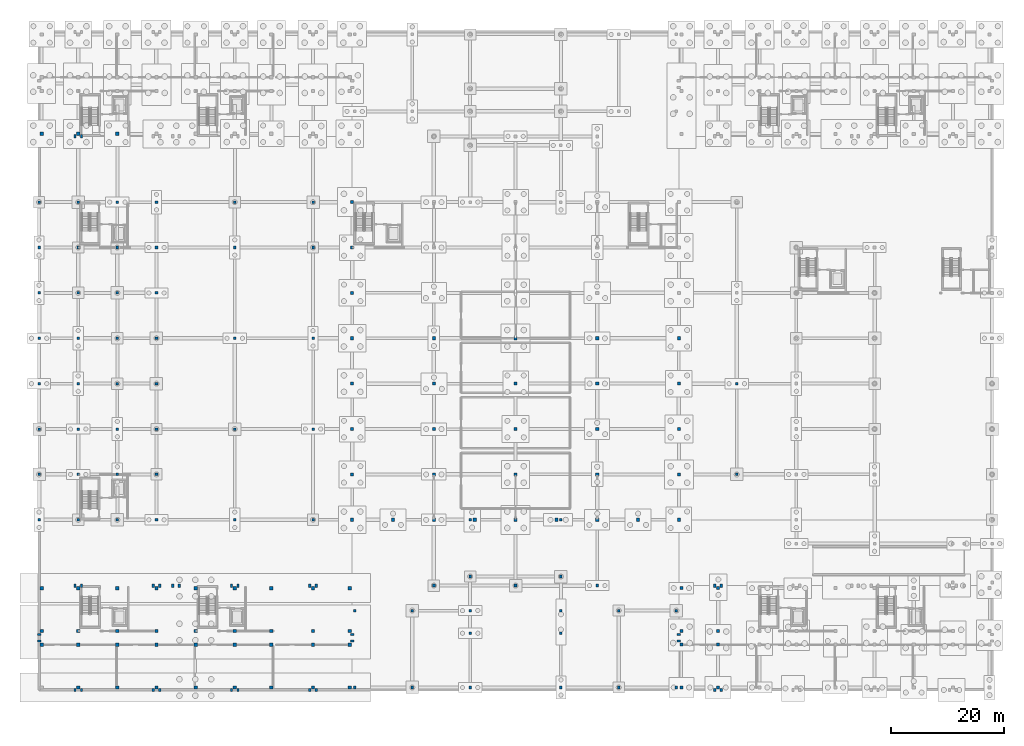
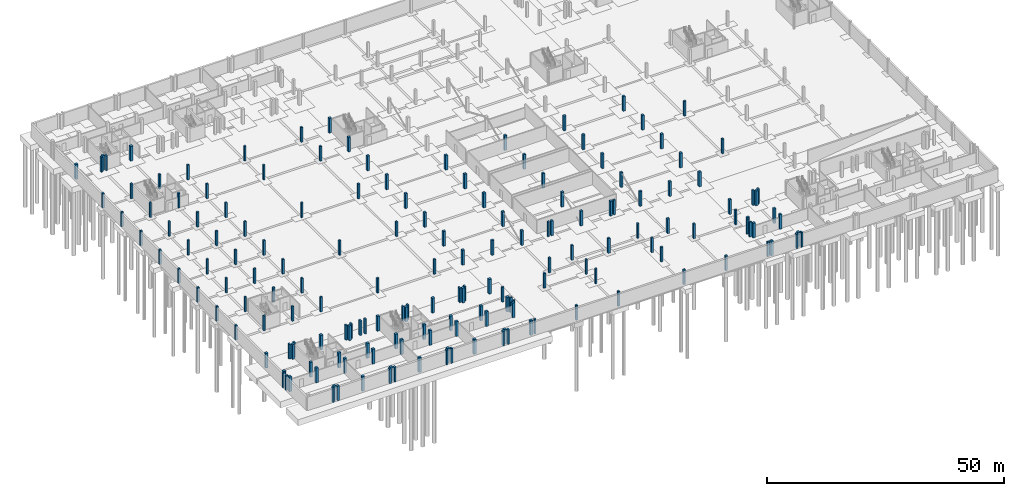
# One storey, part 12 of 38: 173 columns.
"""IFC4 building model written with IfcOpenShell, lengths in metres."""

from ifc_helpers import new_model, si_unit, direction, frame, origin, origin_2d, place, context, subcontext, project, spatial, rectangle, extrude, material, material_profile, profile_set, type_object, element, save


model = new_model("IFC4")

# Units and contexts
model_context = context("Model", 3, precision=1e-05, world=origin(), true_north=direction((0.0, 1.0)))
body_context = subcontext(model_context, "Body", "Model", "MODEL_VIEW")
ifc_project = project(units=[si_unit("LENGTHUNIT", "METRE"), si_unit("AREAUNIT", "SQUARE_METRE"), si_unit("VOLUMEUNIT", "CUBIC_METRE"), si_unit("PLANEANGLEUNIT", "RADIAN"), si_unit("MASSUNIT", "GRAM", prefix="KILO")], contexts=[model_context])

# Site, building, storey
site_placement = place(None, origin())
site = spatial("IfcSite", under=ifc_project, at=site_placement, CompositionType="ELEMENT")
building_placement = place(site_placement, origin())
building = spatial("IfcBuilding", under=site, at=building_placement, Name="Zavelmont Quarter", CompositionType="ELEMENT")
storey_placement = place(building_placement, frame((0.0, 0.0, -3.800048828125)))
storey = spatial("IfcBuildingStorey", under=building, at=storey_placement, Name="B01", CompositionType="ELEMENT", Elevation=-3.800048828125)

# Columns
ifc_material_1 = material(Name="Concrete C40/50", Category="concrete")
ifc_material_profile_1 = material_profile(ifc_material_1, rectangle(XDim=0.60009765625, YDim=0.60009765625, at=origin_2d()), Name="RC600X600")
ifc_profile_set_1 = profile_set([ifc_material_profile_1], Name="Concrete C40/50")
column_type_1 = type_object("IfcColumnType", Name="CL01", PredefinedType="COLUMN", material=ifc_profile_set_1)
for number, where, z_axis, x_axis, name in (
    (1, (0.43994140625, 8.0, 0.0), (0.0, 0.0, 1.0), (1.0, 0.0, 0.0), "B01 column CL01 at 1/B"),
    (2, (0.43994140625, 10.39990234375, 0.0), (0.0, 0.0, 1.0), (1.0, 0.0, 0.0), "B01 column CL01 at 1/C"),
    (3, (0.43994140625, 17.9599609375, 0.0), (0.0, 0.0, 1.0), (1.0, 0.0, 0.0), "B01 column CL01 at 1/D"),
    (4, (6.89990234375, 0.43994140625, 0.0), (0.0, 0.0, 1.0), (1.0, 0.0, 0.0), "B01 column CL01 at 2/A"),
    (5, (6.89990234375, 8.0, 0.0), (0.0, 0.0, 1.0), (1.0, 0.0, 0.0), "B01 column CL01 at 2/B"),
    (6, (6.89990234375, 10.39990234375, 0.0), (0.0, 0.0, 1.0), (1.0, 0.0, 0.0), "B01 column CL01 at 2/C"),
    (7, (6.89990234375, 17.9599609375, 0.0), (0.0, 0.0, 1.0), (1.0, 0.0, 0.0), "B01 column CL01 at 2/D"),
    (8, (13.800048828125, 0.43994140625, 0.0), (0.0, 0.0, 1.0), (1.0, 0.0, 0.0), "B01 column CL01 at 3/A"),
    (9, (13.800048828125, 8.0, 0.0), (0.0, 0.0, 1.0), (1.0, 0.0, 0.0), "B01 column CL01 at 3/B"),
    (10, (13.800048828125, 10.39990234375, 0.0), (0.0, 0.0, 1.0), (1.0, 0.0, 0.0), "B01 column CL01 at 3/C"),
    (11, (13.800048828125, 17.9599609375, 0.0), (0.0, 0.0, 1.0), (1.0, 0.0, 0.0), "B01 column CL01 at 3/D"),
    (12, (20.699951171875, 0.43994140625, 0.0), (0.0, 0.0, 1.0), (1.0, 0.0, 0.0), "B01 column CL01 at 4/A"),
    (13, (20.699951171875, 8.0, 0.0), (0.0, 0.0, 1.0), (1.0, 0.0, 0.0), "B01 column CL01 at 4/B"),
    (14, (20.699951171875, 10.39990234375, 0.0), (0.0, 0.0, 1.0), (1.0, 0.0, 0.0), "B01 column CL01 at 4/C"),
    (15, (20.699951171875, 17.9599609375, 0.0), (0.0, 0.0, 1.0), (1.0, 0.0, 0.0), "B01 column CL01 at 4/D"),
    (16, (27.60009765625, 0.43994140625, 0.0), (0.0, 0.0, 1.0), (1.0, 0.0, 0.0), "B01 column CL01 at 5/A"),
    (17, (27.60009765625, 8.0, 0.0), (0.0, 0.0, 1.0), (1.0, 0.0, 0.0), "B01 column CL01 at 5/B"),
    (18, (27.60009765625, 10.39990234375, 0.0), (0.0, 0.0, 1.0), (1.0, 0.0, 0.0), "B01 column CL01 at 5/C"),
    (19, (27.60009765625, 17.9599609375, 0.0), (0.0, 0.0, 1.0), (1.0, 0.0, 0.0), "B01 column CL01 at 5/D"),
    (20, (34.5, 0.43994140625, 0.0), (0.0, 0.0, 1.0), (1.0, 0.0, 0.0), "B01 column CL01 at 6/A"),
    (21, (34.5, 8.0, 0.0), (0.0, 0.0, 1.0), (1.0, 0.0, 0.0), "B01 column CL01 at 6/B"),
    (22, (34.5, 10.39990234375, 0.0), (0.0, 0.0, 1.0), (1.0, 0.0, 0.0), "B01 column CL01 at 6/C"),
    (23, (34.5, 17.9599609375, 0.0), (0.0, 0.0, 1.0), (1.0, 0.0, 0.0), "B01 column CL01 at 6/D"),
    (24, (40.9599609375, 0.43994140625, 0.0), (0.0, 0.0, 1.0), (1.0, 0.0, 0.0), "B01 column CL01 at 7/A"),
    (25, (40.9599609375, 8.0, 0.0), (0.0, 0.0, 1.0), (1.0, 0.0, 0.0), "B01 column CL01 at 7/B"),
    (26, (40.9599609375, 10.39990234375, 0.0), (0.0, 0.0, 1.0), (1.0, 0.0, 0.0), "B01 column CL01 at 7/C"),
    (27, (40.9599609375, 17.9599609375, 0.0), (0.0, 0.0, 1.0), (1.0, 0.0, 0.0), "B01 column CL01 at 7/D"),
    (28, (48.300048828125, 0.43994140625, 0.0), (0.0, 0.0, 1.0), (1.0, 0.0, 0.0), "B01 column CL01 at 8/A"),
    (29, (48.300048828125, 8.0, 0.0), (0.0, 0.0, 1.0), (1.0, 0.0, 0.0), "B01 column CL01 at 8/B"),
    (30, (48.300048828125, 10.39990234375, 0.0), (0.0, 0.0, 1.0), (1.0, 0.0, 0.0), "B01 column CL01 at 8/C"),
    (31, (48.300048828125, 17.9599609375, 0.0), (0.0, 0.0, 1.0), (1.0, 0.0, 0.0), "B01 column CL01 at 8/D"),
    (32, (54.760009765625, 0.43994140625, 0.0), (0.0, 0.0, 1.0), (1.0, 0.0, 0.0), "B01 column CL01 at 9/A"),
    (33, (54.760009765625, 8.0, 0.0), (0.0, 0.0, 1.0), (1.0, 0.0, 0.0), "B01 column CL01 at 9/B"),
    (34, (54.760009765625, 10.39990234375, 0.0), (0.0, 0.0, 1.0), (1.0, 0.0, 0.0), "B01 column CL01 at 9/C"),
    (35, (54.760009765625, 17.9599609375, 0.0), (0.0, 0.0, 1.0), (1.0, 0.0, 0.0), "B01 column CL01 at 9/D"),
    (36, (0.43994140625, 98.0400390625, 0.0), (0.0, 0.0, 1.0), (1.0, 0.0, 0.0), "B01 column CL01 at 1/P"),
    (37, (6.89990234375, 98.0400390625, 0.0), (0.0, 0.0, 1.0), (1.0, 0.0, 0.0), "B01 column CL01 at 2/P"),
    (38, (13.800048828125, 98.0400390625, 0.0), (0.0, 0.0, 1.0), (1.0, 0.0, 0.0), "B01 column CL01 at 3/P"),
):
    element("IfcColumn", number, at=place(storey_placement, frame(where, z_axis=z_axis, x_axis=x_axis)), inside=storey, type_object=column_type_1, Name=name, PredefinedType="COLUMN", context=body_context, shape_type="SweptSolid", body=[
        extrude(rectangle(XDim=0.60009765625, YDim=0.60009765625, at=origin_2d()), origin(), (0.0, 0.0, 1.0), 3.800048828125),
    ])
ifc_material_profile_2 = material_profile(ifc_material_1, rectangle(XDim=0.550048828125, YDim=0.550048828125, at=origin_2d()), Name="RC550X550")
ifc_profile_set_2 = profile_set([ifc_material_profile_2], Name="Concrete C40/50")
column_type_2 = type_object("IfcColumnType", Name="CL02", PredefinedType="COLUMN", material=ifc_profile_set_2)
for number, where, z_axis, x_axis, name in (
    (39, (113.239990234375, 0.43994140625, 0.0), (0.0, 0.0, 1.0), (1.0, 0.0, 0.0), "B01 column CL02 at 17/A"),
    (40, (113.239990234375, 8.0, 0.0), (0.0, 0.0, 1.0), (1.0, 0.0, 0.0), "B01 column CL02 at 17/B"),
    (41, (113.239990234375, 10.39990234375, 0.0), (0.0, 0.0, 1.0), (1.0, 0.0, 0.0), "B01 column CL02 at 17/C"),
    (42, (113.239990234375, 17.9599609375, 0.0), (0.0, 0.0, 1.0), (1.0, 0.0, 0.0), "B01 column CL02 at 17/D"),
    (43, (119.699951171875, 0.43994140625, 0.0), (0.0, 0.0, 1.0), (1.0, 0.0, 0.0), "B01 column CL02 at 18/A"),
    (44, (119.699951171875, 8.0, 0.0), (0.0, 0.0, 1.0), (1.0, 0.0, 0.0), "B01 column CL02 at 18/B"),
    (45, (119.699951171875, 10.39990234375, 0.0), (0.0, 0.0, 1.0), (1.0, 0.0, 0.0), "B01 column CL02 at 18/C"),
    (46, (119.699951171875, 17.9599609375, 0.0), (0.0, 0.0, 1.0), (1.0, 0.0, 0.0), "B01 column CL02 at 18/D"),
    (47, (55.199951171875, 30.0, 0.0), (0.0, 0.0, 1.0), (1.0, 0.0, 0.0), "B01 column CL02 at 9/F"),
    (48, (55.199951171875, 38.0, 0.0), (0.0, 0.0, 1.0), (1.0, 0.0, 0.0), "B01 column CL02 at 9/G"),
    (49, (55.199951171875, 46.0, 0.0), (0.0, 0.0, 1.0), (1.0, 0.0, 0.0), "B01 column CL02 at 9/H"),
    (50, (55.199951171875, 54.0, 0.0), (0.0, 0.0, 1.0), (1.0, 0.0, 0.0), "B01 column CL02 at 9/J"),
    (51, (55.199951171875, 62.0, 0.0), (0.0, 0.0, 1.0), (1.0, 0.0, 0.0), "B01 column CL02 at 9/K"),
    (52, (55.199951171875, 70.0, 0.0), (0.0, 0.0, 1.0), (1.0, 0.0, 0.0), "B01 column CL02 at 9/L"),
    (53, (55.199951171875, 78.0, 0.0), (0.0, 0.0, 1.0), (1.0, 0.0, 0.0), "B01 column CL02 at 9/M"),
    (54, (55.199951171875, 86.0, 0.0), (0.0, 0.0, 1.0), (1.0, 0.0, 0.0), "B01 column CL02 at 9/N"),
    (55, (62.39990234375, 30.0, 0.0), (0.0, 0.0, 1.0), (1.0, 0.0, 0.0), "B01 column CL02 at 10/F"),
    (56, (69.60009765625, 30.0, 0.0), (0.0, 0.0, 1.0), (1.0, 0.0, 0.0), "B01 column CL02 at 11/F"),
    (57, (69.60009765625, 38.0, 0.0), (0.0, 0.0, 1.0), (1.0, 0.0, 0.0), "B01 column CL02 at 11/G"),
    (58, (69.60009765625, 46.0, 0.0), (0.0, 0.0, 1.0), (1.0, 0.0, 0.0), "B01 column CL02 at 11/H"),
    (59, (69.60009765625, 54.0, 0.0), (0.0, 0.0, 1.0), (1.0, 0.0, 0.0), "B01 column CL02 at 11/J"),
    (60, (69.60009765625, 62.0, 0.0), (0.0, 0.0, 1.0), (1.0, 0.0, 0.0), "B01 column CL02 at 11/K"),
    (61, (76.800048828125, 30.0, 0.0), (0.0, 0.0, 1.0), (1.0, 0.0, 0.0), "B01 column CL02 at 12/F"),
    (62, (84.0, 30.0, 0.0), (0.0, 0.0, 1.0), (1.0, 0.0, 0.0), "B01 column CL02 at 13/F"),
    (63, (84.0, 38.0, 0.0), (0.0, 0.0, 1.0), (1.0, 0.0, 0.0), "B01 column CL02 at 13/G"),
    (64, (84.0, 46.0, 0.0), (0.0, 0.0, 1.0), (1.0, 0.0, 0.0), "B01 column CL02 at 13/H"),
    (65, (84.0, 54.0, 0.0), (0.0, 0.0, 1.0), (1.0, 0.0, 0.0), "B01 column CL02 at 13/J"),
    (66, (84.0, 62.0, 0.0), (0.0, 0.0, 1.0), (1.0, 0.0, 0.0), "B01 column CL02 at 13/K"),
    (67, (91.199951171875, 30.0, 0.0), (0.0, 0.0, 1.0), (1.0, 0.0, 0.0), "B01 column CL02 at 14/F"),
    (68, (98.39990234375, 30.0, 0.0), (0.0, 0.0, 1.0), (1.0, 0.0, 0.0), "B01 column CL02 at 15/F"),
    (69, (98.39990234375, 38.0, 0.0), (0.0, 0.0, 1.0), (1.0, 0.0, 0.0), "B01 column CL02 at 15/G"),
    (70, (98.39990234375, 46.0, 0.0), (0.0, 0.0, 1.0), (1.0, 0.0, 0.0), "B01 column CL02 at 15/H"),
    (71, (98.39990234375, 54.0, 0.0), (0.0, 0.0, 1.0), (1.0, 0.0, 0.0), "B01 column CL02 at 15/J"),
    (72, (98.39990234375, 62.0, 0.0), (0.0, 0.0, 1.0), (1.0, 0.0, 0.0), "B01 column CL02 at 15/K"),
    (73, (105.60009765625, 30.0, 0.0), (0.0, 0.0, 1.0), (1.0, 0.0, 0.0), "B01 column CL02 at 16/F"),
    (74, (112.800048828125, 30.0, 0.0), (0.0, 0.0, 1.0), (1.0, 0.0, 0.0), "B01 column CL02 at 17/F"),
    (75, (112.800048828125, 38.0, 0.0), (0.0, 0.0, 1.0), (1.0, 0.0, 0.0), "B01 column CL02 at 17/G"),
    (76, (112.800048828125, 46.0, 0.0), (0.0, 0.0, 1.0), (1.0, 0.0, 0.0), "B01 column CL02 at 17/H"),
    (77, (112.800048828125, 54.0, 0.0), (0.0, 0.0, 1.0), (1.0, 0.0, 0.0), "B01 column CL02 at 17/J"),
    (78, (112.800048828125, 62.0, 0.0), (0.0, 0.0, 1.0), (1.0, 0.0, 0.0), "B01 column CL02 at 17/K"),
):
    element("IfcColumn", number, at=place(storey_placement, frame(where, z_axis=z_axis, x_axis=x_axis)), inside=storey, type_object=column_type_2, Name=name, PredefinedType="COLUMN", context=body_context, shape_type="SweptSolid", body=[
        extrude(rectangle(XDim=0.550048828125, YDim=0.550048828125, at=origin_2d()), origin(), (0.0, 0.0, 1.0), 3.800048828125),
    ])
ifc_material_profile_3 = material_profile(ifc_material_1, rectangle(XDim=0.5, YDim=0.5, at=origin_2d()), Name="RC500X500")
ifc_profile_set_3 = profile_set([ifc_material_profile_3], Name="Concrete C40/50")
column_type_3 = type_object("IfcColumnType", Name="CL03", PredefinedType="COLUMN", material=ifc_profile_set_3)
for number, where, z_axis, x_axis, name in (
    (79, (69.60009765625, 18.39990234375, 0.0), (0.0, 0.0, 1.0), (1.0, 0.0, 0.0), "B01 column CL03 at 11/D"),
    (80, (84.0, 18.39990234375, 0.0), (0.0, 0.0, 1.0), (1.0, 0.0, 0.0), "B01 column CL03 at 13/D"),
    (81, (98.39990234375, 18.39990234375, 0.0), (0.0, 0.0, 1.0), (1.0, 0.0, 0.0), "B01 column CL03 at 15/D"),
):
    element("IfcColumn", number, at=place(storey_placement, frame(where, z_axis=z_axis, x_axis=x_axis)), inside=storey, type_object=column_type_3, Name=name, PredefinedType="COLUMN", context=body_context, shape_type="SweptSolid", body=[
        extrude(rectangle(XDim=0.5, YDim=0.5, at=origin_2d()), origin(), (0.0, 0.0, 1.0), 3.800048828125),
    ])
ifc_material_2 = material(Name="Concrete C35/45", Category="concrete")
ifc_material_profile_4 = material_profile(ifc_material_2, rectangle(XDim=0.449951171875, YDim=0.449951171875, at=origin_2d()), Name="RC450X450")
ifc_profile_set_4 = profile_set([ifc_material_profile_4], Name="Concrete C35/45")
column_type_4 = type_object("IfcColumnType", Name="CL04", PredefinedType="COLUMN", material=ifc_profile_set_4)
for number, where, z_axis, x_axis, name in (
    (82, (34.5, 30.0, 0.0), (0.0, 0.0, 1.0), (1.0, 0.0, 0.0), "B01 column CL04 at 6/F"),
    (83, (34.5, 46.0, 0.0), (0.0, 0.0, 1.0), (1.0, 0.0, 0.0), "B01 column CL04 at 6/H"),
    (84, (34.5, 62.0, 0.0), (0.0, 0.0, 1.0), (1.0, 0.0, 0.0), "B01 column CL04 at 6/K"),
    (85, (34.5, 78.0, 0.0), (0.0, 0.0, 1.0), (1.0, 0.0, 0.0), "B01 column CL04 at 6/M"),
    (86, (34.5, 86.0, 0.0), (0.0, 0.0, 1.0), (1.0, 0.0, 0.0), "B01 column CL04 at 6/N"),
    (87, (48.300048828125, 30.0, 0.0), (0.0, 0.0, 1.0), (1.0, 0.0, 0.0), "B01 column CL04 at 8/F"),
    (88, (48.300048828125, 46.0, 0.0), (0.0, 0.0, 1.0), (1.0, 0.0, 0.0), "B01 column CL04 at 8/H"),
    (89, (48.300048828125, 62.0, 0.0), (0.0, 0.0, 1.0), (1.0, 0.0, 0.0), "B01 column CL04 at 8/K"),
    (90, (48.300048828125, 78.0, 0.0), (0.0, 0.0, 1.0), (1.0, 0.0, 0.0), "B01 column CL04 at 8/M"),
    (91, (48.300048828125, 86.0, 0.0), (0.0, 0.0, 1.0), (1.0, 0.0, 0.0), "B01 column CL04 at 8/N"),
    (92, (123.0, 38.0, 0.0), (0.0, 0.0, 1.0), (1.0, 0.0, 0.0), "B01 column CL04 at 18/G"),
    (93, (123.0, 54.0, 0.0), (0.0, 0.0, 1.0), (1.0, 0.0, 0.0), "B01 column CL04 at 18/J"),
    (94, (55.639892578125, 0.43994140625, 0.0), (0.0, 0.0, 1.0), (1.0, 0.0, 0.0), "B01 column CL04 at 9/A"),
    (95, (55.639892578125, 14.0, 0.0), (0.0, 0.0, 1.0), (1.0, 0.0, 0.0), "B01 column CL04 at 9/C"),
    (96, (65.800048828125, 0.43994140625, 0.0), (0.0, 0.0, 1.0), (1.0, 0.0, 0.0), "B01 column CL04 at 10/A"),
    (97, (65.800048828125, 14.0, 0.0), (0.0, 0.0, 1.0), (1.0, 0.0, 0.0), "B01 column CL04 at 10/C"),
    (98, (76.0, 0.43994140625, 0.0), (0.0, 0.0, 1.0), (1.0, 0.0, 0.0), "B01 column CL04 at 12/A"),
    (99, (76.0, 14.0, 0.0), (0.0, 0.0, 1.0), (1.0, 0.0, 0.0), "B01 column CL04 at 12/C"),
    (100, (92.0, 0.43994140625, 0.0), (0.0, 0.0, 1.0), (1.0, 0.0, 0.0), "B01 column CL04 at 14/A"),
    (101, (92.0, 14.0, 0.0), (0.0, 0.0, 1.0), (1.0, 0.0, 0.0), "B01 column CL04 at 14/C"),
    (102, (102.199951171875, 0.43994140625, 0.0), (0.0, 0.0, 1.0), (1.0, 0.0, 0.0), "B01 column CL04 at 16/A"),
    (103, (102.199951171875, 14.0, 0.0), (0.0, 0.0, 1.0), (1.0, 0.0, 0.0), "B01 column CL04 at 16/C"),
    (104, (112.360107421875, 0.43994140625, 0.0), (0.0, 0.0, 1.0), (1.0, 0.0, 0.0), "B01 column CL04 at 17/A"),
    (105, (112.360107421875, 14.0, 0.0), (0.0, 0.0, 1.0), (1.0, 0.0, 0.0), "B01 column CL04 at 17/C"),
    (106, (76.0, 10.0, 0.0), (0.0, 0.0, 1.0), (1.0, 0.0, 0.0), "B01 column CL04 at 12/C"),
    (107, (92.0, 10.0, 0.0), (0.0, 0.0, 1.0), (1.0, 0.0, 0.0), "B01 column CL04 at 14/C"),
    (108, (76.0, 20.0, 0.0), (0.0, 0.0, 1.0), (1.0, 0.0, 0.0), "B01 column CL04 at 12/D"),
    (109, (92.0, 20.0, 0.0), (0.0, 0.0, 1.0), (1.0, 0.0, 0.0), "B01 column CL04 at 14/D"),
    (110, (76.0, 30.0, 0.0), (0.0, 0.0, 1.0), (1.0, 0.0, 0.0), "B01 column CL04 at 12/F"),
    (111, (92.0, 30.0, 0.0), (0.0, 0.0, 1.0), (1.0, 0.0, 0.0), "B01 column CL04 at 14/F"),
    (112, (0.0, 30.0, 0.0), (0.0, 0.0, 1.0), (1.0, 0.0, 0.0), "B01 column CL04 at 1/F"),
    (113, (0.0, 38.0, 0.0), (0.0, 0.0, 1.0), (1.0, 0.0, 0.0), "B01 column CL04 at 1/G"),
    (114, (0.0, 46.0, 0.0), (0.0, 0.0, 1.0), (1.0, 0.0, 0.0), "B01 column CL04 at 1/H"),
    (115, (0.0, 54.0, 0.0), (0.0, 0.0, 1.0), (1.0, 0.0, 0.0), "B01 column CL04 at 1/J"),
    (116, (0.0, 62.0, 0.0), (0.0, 0.0, 1.0), (1.0, 0.0, 0.0), "B01 column CL04 at 1/K"),
    (117, (0.0, 70.0, 0.0), (0.0, 0.0, 1.0), (1.0, 0.0, 0.0), "B01 column CL04 at 1/L"),
    (118, (0.0, 78.0, 0.0), (0.0, 0.0, 1.0), (1.0, 0.0, 0.0), "B01 column CL04 at 1/M"),
    (119, (0.0, 86.0, 0.0), (0.0, 0.0, 1.0), (1.0, 0.0, 0.0), "B01 column CL04 at 1/N"),
    (120, (6.89990234375, 30.0, 0.0), (0.0, 0.0, 1.0), (1.0, 0.0, 0.0), "B01 column CL04 at 2/F"),
    (121, (6.89990234375, 38.0, 0.0), (0.0, 0.0, 1.0), (1.0, 0.0, 0.0), "B01 column CL04 at 2/G"),
    (122, (6.89990234375, 46.0, 0.0), (0.0, 0.0, 1.0), (1.0, 0.0, 0.0), "B01 column CL04 at 2/H"),
    (123, (6.89990234375, 54.0, 0.0), (0.0, 0.0, 1.0), (1.0, 0.0, 0.0), "B01 column CL04 at 2/J"),
    (124, (6.89990234375, 62.0, 0.0), (0.0, 0.0, 1.0), (1.0, 0.0, 0.0), "B01 column CL04 at 2/K"),
    (125, (6.89990234375, 70.0, 0.0), (0.0, 0.0, 1.0), (1.0, 0.0, 0.0), "B01 column CL04 at 2/L"),
    (126, (6.89990234375, 78.0, 0.0), (0.0, 0.0, 1.0), (1.0, 0.0, 0.0), "B01 column CL04 at 2/M"),
    (127, (6.89990234375, 86.0, 0.0), (0.0, 0.0, 1.0), (1.0, 0.0, 0.0), "B01 column CL04 at 2/N"),
    (128, (13.800048828125, 30.0, 0.0), (0.0, 0.0, 1.0), (1.0, 0.0, 0.0), "B01 column CL04 at 3/F"),
    (129, (13.800048828125, 38.0, 0.0), (0.0, 0.0, 1.0), (1.0, 0.0, 0.0), "B01 column CL04 at 3/G"),
    (130, (13.800048828125, 46.0, 0.0), (0.0, 0.0, 1.0), (1.0, 0.0, 0.0), "B01 column CL04 at 3/H"),
    (131, (13.800048828125, 54.0, 0.0), (0.0, 0.0, 1.0), (1.0, 0.0, 0.0), "B01 column CL04 at 3/J"),
    (132, (13.800048828125, 62.0, 0.0), (0.0, 0.0, 1.0), (1.0, 0.0, 0.0), "B01 column CL04 at 3/K"),
    (133, (13.800048828125, 70.0, 0.0), (0.0, 0.0, 1.0), (1.0, 0.0, 0.0), "B01 column CL04 at 3/L"),
    (134, (13.800048828125, 78.0, 0.0), (0.0, 0.0, 1.0), (1.0, 0.0, 0.0), "B01 column CL04 at 3/M"),
    (135, (13.800048828125, 86.0, 0.0), (0.0, 0.0, 1.0), (1.0, 0.0, 0.0), "B01 column CL04 at 3/N"),
    (136, (20.699951171875, 30.0, 0.0), (0.0, 0.0, 1.0), (1.0, 0.0, 0.0), "B01 column CL04 at 4/F"),
    (137, (20.699951171875, 38.0, 0.0), (0.0, 0.0, 1.0), (1.0, 0.0, 0.0), "B01 column CL04 at 4/G"),
    (138, (20.699951171875, 46.0, 0.0), (0.0, 0.0, 1.0), (1.0, 0.0, 0.0), "B01 column CL04 at 4/H"),
    (139, (20.699951171875, 54.0, 0.0), (0.0, 0.0, 1.0), (1.0, 0.0, 0.0), "B01 column CL04 at 4/J"),
    (140, (20.699951171875, 62.0, 0.0), (0.0, 0.0, 1.0), (1.0, 0.0, 0.0), "B01 column CL04 at 4/K"),
    (141, (20.699951171875, 70.0, 0.0), (0.0, 0.0, 1.0), (1.0, 0.0, 0.0), "B01 column CL04 at 4/L"),
    (142, (20.699951171875, 78.0, 0.0), (0.0, 0.0, 1.0), (1.0, 0.0, 0.0), "B01 column CL04 at 4/M"),
    (143, (20.699951171875, 86.0, 0.0), (0.0, 0.0, 1.0), (1.0, 0.0, 0.0), "B01 column CL04 at 4/N"),
):
    element("IfcColumn", number, at=place(storey_placement, frame(where, z_axis=z_axis, x_axis=x_axis)), inside=storey, type_object=column_type_4, Name=name, PredefinedType="COLUMN", context=body_context, shape_type="SweptSolid", body=[
        extrude(rectangle(XDim=0.449951171875, YDim=0.449951171875, at=origin_2d()), origin(), (0.0, 0.0, 1.0), 3.800048828125),
    ])
ifc_material_profile_5 = material_profile(ifc_material_1, rectangle(XDim=0.39990234375, YDim=0.60009765625, at=origin_2d()), Name="RC400X600")
ifc_profile_set_5 = profile_set([ifc_material_profile_5], Name="Concrete C40/50")
column_type_5 = type_object("IfcColumnType", Name="PL01", PredefinedType="PILASTER", material=ifc_profile_set_5)
for number, where, z_axis, x_axis, name in (
    (144, (6.320068359375, 0.0, 0.0), (0.0, 0.0, 1.0), (1.0, 0.0, 0.0), "B01 column PL01 at 2/A"),
    (145, (6.320068359375, 18.39990234375, 0.0), (0.0, 0.0, 1.0), (1.0, 0.0, 0.0), "B01 column PL01 at 2/D"),
    (146, (7.47998046875, 0.0, 0.0), (0.0, 0.0, 1.0), (1.0, 0.0, 0.0), "B01 column PL01 at 2/A"),
    (147, (7.47998046875, 18.39990234375, 0.0), (0.0, 0.0, 1.0), (1.0, 0.0, 0.0), "B01 column PL01 at 2/D"),
    (148, (20.1201171875, 0.0, 0.0), (0.0, 0.0, 1.0), (1.0, 0.0, 0.0), "B01 column PL01 at 4/A"),
    (149, (20.1201171875, 18.39990234375, 0.0), (0.0, 0.0, 1.0), (1.0, 0.0, 0.0), "B01 column PL01 at 4/D"),
    (150, (21.280029296875, 0.0, 0.0), (0.0, 0.0, 1.0), (1.0, 0.0, 0.0), "B01 column PL01 at 4/A"),
    (151, (21.280029296875, 18.39990234375, 0.0), (0.0, 0.0, 1.0), (1.0, 0.0, 0.0), "B01 column PL01 at 4/D"),
    (152, (33.919921875, 0.0, 0.0), (0.0, 0.0, 1.0), (1.0, 0.0, 0.0), "B01 column PL01 at 6/A"),
    (153, (33.919921875, 18.39990234375, 0.0), (0.0, 0.0, 1.0), (1.0, 0.0, 0.0), "B01 column PL01 at 6/D"),
    (154, (35.080078125, 0.0, 0.0), (0.0, 0.0, 1.0), (1.0, 0.0, 0.0), "B01 column PL01 at 6/A"),
    (155, (35.080078125, 18.39990234375, 0.0), (0.0, 0.0, 1.0), (1.0, 0.0, 0.0), "B01 column PL01 at 6/D"),
    (156, (47.719970703125, 0.0, 0.0), (0.0, 0.0, 1.0), (1.0, 0.0, 0.0), "B01 column PL01 at 8/A"),
    (157, (47.719970703125, 18.39990234375, 0.0), (0.0, 0.0, 1.0), (1.0, 0.0, 0.0), "B01 column PL01 at 8/D"),
    (158, (48.8798828125, 0.0, 0.0), (0.0, 0.0, 1.0), (1.0, 0.0, 0.0), "B01 column PL01 at 8/A"),
    (159, (48.8798828125, 18.39990234375, 0.0), (0.0, 0.0, 1.0), (1.0, 0.0, 0.0), "B01 column PL01 at 8/D"),
    (160, (23.570068359375, 18.39990234375, 0.0), (0.0, 0.0, 1.0), (1.0, 0.0, 0.0), "B01 column PL01 at 4/D"),
    (161, (24.72998046875, 18.39990234375, 0.0), (0.0, 0.0, 1.0), (1.0, 0.0, 0.0), "B01 column PL01 at 5/D"),
    (162, (0.0, 8.6201171875, 0.0), (0.0, 0.0, 1.0), (0.0, 1.0, 0.0), "B01 column PL01 at 1/B"),
    (163, (0.0, 9.780029296875, 0.0), (0.0, 0.0, 1.0), (0.0, 1.0, 0.0), "B01 column PL01 at 1/C"),
    (164, (55.199951171875, 8.6201171875, 0.0), (0.0, 0.0, 1.0), (0.0, 1.0, 0.0), "B01 column PL01 at 9/B"),
    (165, (55.199951171875, 9.780029296875, 0.0), (0.0, 0.0, 1.0), (0.0, 1.0, 0.0), "B01 column PL01 at 9/C"),
    (166, (6.320068359375, 97.60009765625, 0.0), (0.0, 0.0, 1.0), (1.0, 0.0, 0.0), "B01 column PL01 at 2/P"),
    (167, (7.47998046875, 97.60009765625, 0.0), (0.0, 0.0, 1.0), (1.0, 0.0, 0.0), "B01 column PL01 at 2/P"),
    (168, (119.1201171875, 0.0, 0.0), (0.0, 0.0, 1.0), (1.0, 0.0, 0.0), "B01 column PL01 at 18/A"),
    (169, (119.1201171875, 18.39990234375, 0.0), (0.0, 0.0, 1.0), (1.0, 0.0, 0.0), "B01 column PL01 at 18/D"),
    (170, (120.280029296875, 0.0, 0.0), (0.0, 0.0, 1.0), (1.0, 0.0, 0.0), "B01 column PL01 at 18/A"),
    (171, (120.280029296875, 18.39990234375, 0.0), (0.0, 0.0, 1.0), (1.0, 0.0, 0.0), "B01 column PL01 at 18/D"),
    (172, (112.800048828125, 8.6201171875, 0.0), (0.0, 0.0, 1.0), (0.0, 1.0, 0.0), "B01 column PL01 at 17/B"),
    (173, (112.800048828125, 9.780029296875, 0.0), (0.0, 0.0, 1.0), (0.0, 1.0, 0.0), "B01 column PL01 at 17/C"),
):
    element("IfcColumn", number, at=place(storey_placement, frame(where, z_axis=z_axis, x_axis=x_axis)), inside=storey, type_object=column_type_5, Name=name, PredefinedType="PILASTER", context=body_context, shape_type="SweptSolid", body=[
        extrude(rectangle(XDim=0.39990234375, YDim=0.60009765625, at=origin_2d()), origin(), (0.0, 0.0, 1.0), 3.800048828125),
    ])

save(model, "model.ifc")
